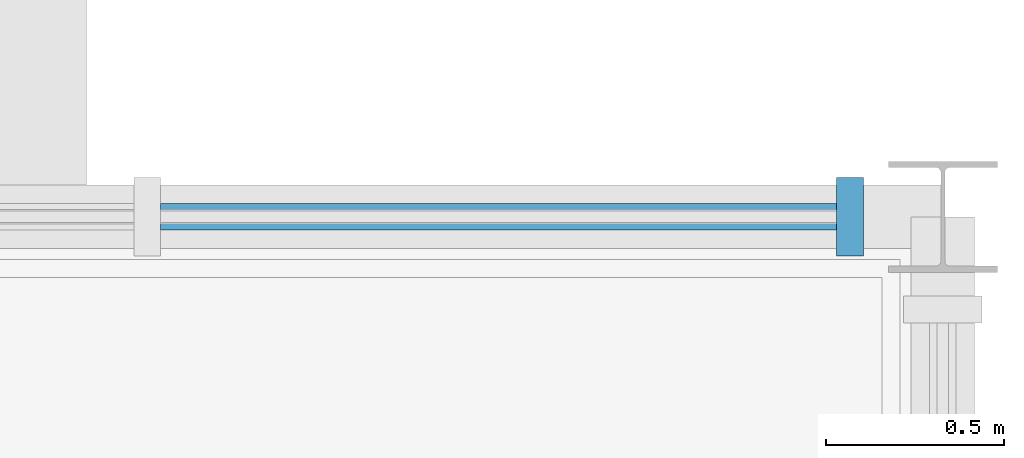
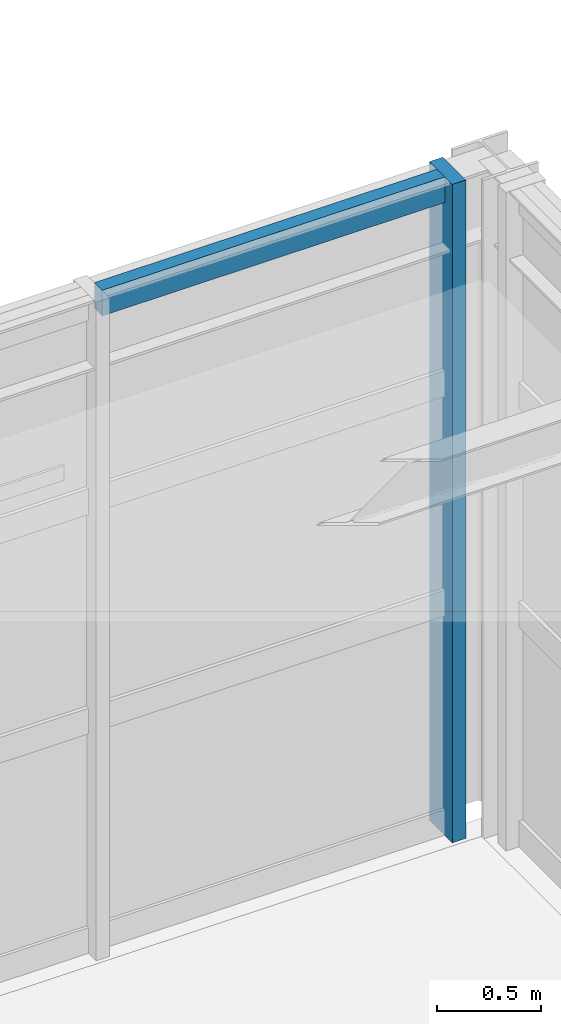
# One storey, part 29 of 49: 2 members, 1 element without a shape of its own.
"""IFC4 building model written with IfcOpenShell, lengths in metres."""

import ifcopenshell
import ifcopenshell.guid

model = None  # the IFC model being written
_history = None  # IfcOwnerHistory: only IFC2X3 demands one
_inside = {}  # id of a spatial element -> (the spatial element, [elements in it])
_under = {}  # id of a project, library or spatial element -> (it, [spatial elements below it])
_declared = {}  # id of a project -> (the project, [libraries it declares])
_typed = {}  # id of a type object -> (the type object, [elements of that type])
_made_of = {}  # id of a material, layer set ... -> (it, [elements and type objects made of it])


def new_model(schema):
    """Start an empty IFC model of exactly this schema.

    Asked for "IFC4X3", IfcOpenShell would pick the latest addendum, in which some entities
    have other attributes; the version numbers below select the first issue.
    IFC2X3 requires an IfcOwnerHistory on every rooted entity: one is made here for all.
    """
    global model, _history
    if schema == "IFC4X3":
        model = ifcopenshell.file(schema_version=(4, 3, 0, 0))
    else:
        model = ifcopenshell.file(schema=schema)
    _inside.clear()
    _under.clear()
    _declared.clear()
    _typed.clear()
    _made_of.clear()
    _history = None
    if model.schema == "IFC2X3":
        org = make("IfcOrganization", Name="unknown")
        user = make(
            "IfcPersonAndOrganization",
            ThePerson=make("IfcPerson", FamilyName="unknown"),
            TheOrganization=org,
        )
        app = make(
            "IfcApplication",
            ApplicationDeveloper=org,
            Version="unknown",
            ApplicationFullName="unknown",
            ApplicationIdentifier="unknown",
        )
        _history = make(
            "IfcOwnerHistory",
            OwningUser=user,
            OwningApplication=app,
            ChangeAction="ADDED",
            CreationDate=0,
        )
    return model


def make(cls, **values):
    """One entity of the class cls with the attributes given. An attribute that is None is left unset."""
    return model.create_entity(
        cls, **{name: value for name, value in values.items() if value is not None}
    )


def rooted(cls, **values):
    """An entity with a GlobalId (a new one), such as an element, a storey or a relation."""
    return make(cls, GlobalId=ifcopenshell.guid.new(), OwnerHistory=_history, **values)


def si_unit(unit_type, name, prefix=None):
    """IfcSIUnit, for example si_unit("LENGTHUNIT", "METRE", prefix="MILLI")."""
    return make("IfcSIUnit", UnitType=unit_type, Prefix=prefix, Name=name)


def assignment(units):
    """IfcUnitAssignment: the units of a project."""
    return None if units is None else make("IfcUnitAssignment", Units=units)


def point(xyz):
    """IfcCartesianPoint."""
    return None if xyz is None else make("IfcCartesianPoint", Coordinates=xyz)


def direction(xyz):
    """IfcDirection."""
    return None if xyz is None else make("IfcDirection", DirectionRatios=xyz)


def frame(location, z_axis=None, x_axis=None):
    """IfcAxis2Placement3D, a coordinate frame: its origin and axes. An axis left out is left unset."""
    return make(
        "IfcAxis2Placement3D",
        Location=point(location),
        Axis=direction(z_axis),
        RefDirection=direction(x_axis),
    )


def frame_2d(location, x_axis=None):
    """IfcAxis2Placement2D, a coordinate frame in the plane: its origin and x axis."""
    return make(
        "IfcAxis2Placement2D", Location=point(location), RefDirection=direction(x_axis)
    )


def origin():
    """The frame at (0, 0, 0) with its axes left unset."""
    return frame((0.0, 0.0, 0.0))


def origin_2d():
    """The frame at (0, 0) in the plane with its x axis left unset."""
    return frame_2d((0.0, 0.0))


def place(relative_to, where):
    """IfcLocalPlacement: puts the frame where relative to a parent placement (None: the world)."""
    return make(
        "IfcLocalPlacement", PlacementRelTo=relative_to, RelativePlacement=where
    )


def context(
    kind, dimensions, precision=None, world=None, true_north=None, identifier=None
):
    """IfcGeometricRepresentationContext, for example the 3D "Model" context."""
    return make(
        "IfcGeometricRepresentationContext",
        ContextIdentifier=identifier,
        ContextType=kind,
        CoordinateSpaceDimension=dimensions,
        Precision=precision,
        WorldCoordinateSystem=world,
        TrueNorth=true_north,
    )


def subcontext(parent, identifier, kind, view, scale=None):
    """IfcGeometricRepresentationSubContext, for example "Body" below "Model"."""
    return make(
        "IfcGeometricRepresentationSubContext",
        ContextIdentifier=identifier,
        ContextType=kind,
        ParentContext=parent,
        TargetScale=scale,
        TargetView=view,
    )


def project(units=None, contexts=None):
    """IfcProject with its units and contexts."""
    return rooted(
        "IfcProject",
        Name="project",
        RepresentationContexts=contexts,
        UnitsInContext=assignment(units),
    )


def spatial(cls, under=None, at=None, **own):
    """A site, building, storey or space (cls), placed at a placement, below another one or the project."""
    s = rooted(cls, ObjectPlacement=at, **own)
    if under is not None:
        _under.setdefault(under.id(), (under, []))[1].append(s)
    return s


def profile(cls, at=None, kind="AREA", **sizes):
    """A parametric profile (cls). Its sizes go by their IFC names, for example OverallWidth=200.0."""
    return make(cls, ProfileType=kind, Position=at, **sizes)


def rectangle(**sizes):
    """IfcRectangleProfileDef."""
    return profile("IfcRectangleProfileDef", **sizes)


def extrude(swept, where, along, depth):
    """IfcExtrudedAreaSolid: the profile swept, set in the frame where, extruded along a direction by depth."""
    return make(
        "IfcExtrudedAreaSolid",
        SweptArea=swept,
        Position=where,
        ExtrudedDirection=direction(along),
        Depth=depth,
    )


def shape(context_of_items, identifier, shape_type, items):
    """IfcShapeRepresentation: the items that make up one representation, for example the "Body"."""
    return make(
        "IfcShapeRepresentation",
        ContextOfItems=context_of_items,
        RepresentationIdentifier=identifier,
        RepresentationType=shape_type,
        Items=items,
    )


def material(Name=None, Category=None):
    """IfcMaterial."""
    return make("IfcMaterial", Name=Name, Category=Category)


def layer(
    of_material, thickness, ventilated=None, Name=None, Category=None, Priority=None
):
    """IfcMaterialLayer: one layer of a wall or slab, of a material (None: an air gap)."""
    return make(
        "IfcMaterialLayer",
        Material=of_material,
        LayerThickness=thickness,
        IsVentilated=ventilated,
        Name=Name,
        Category=Category,
        Priority=Priority,
    )


def layer_set(layers, Name=None):
    """IfcMaterialLayerSet."""
    return make("IfcMaterialLayerSet", MaterialLayers=layers, LayerSetName=Name)


def material_profile(
    of_material, cross_section, Name=None, Category=None, Priority=None
):
    """IfcMaterialProfile: a cross section and its material."""
    return make(
        "IfcMaterialProfile",
        Name=Name,
        Material=of_material,
        Profile=cross_section,
        Priority=Priority,
        Category=Category,
    )


def profile_set(profiles, Name=None, composite=None):
    """IfcMaterialProfileSet."""
    return make(
        "IfcMaterialProfileSet",
        Name=Name,
        MaterialProfiles=profiles,
        CompositeProfile=composite,
    )


def made_of(thing, what):
    """Note that an element or type object is made of a material, layer set ...; save() writes the relation."""
    if what is not None:
        _made_of.setdefault(what.id(), (what, []))[1].append(thing)
    return thing


def type_object(cls, material=None, **own):
    """A type object (cls), such as IfcWallType, which elements share."""
    return made_of(rooted(cls, **own), material)


def element(
    cls,
    number,
    at=None,
    inside=None,
    cuts=None,
    type_object=None,
    material=None,
    context=None,
    identifier="Body",
    shape_type=None,
    held_by="IfcProductDefinitionShape",
    body=None,
    shapes=None,
    **own,
):
    """One element of the class cls, such as IfcWall. Its Tag is "e" and its number.

    at: its placement. inside: the storey or other place that contains it. cuts: it is an
    opening in that element (IfcRelVoidsElement). A single representation is given by context,
    identifier, shape_type and body (its items); several are given by shapes. held_by: the class
    of the entity that holds the representations. save() writes the other relations.
    """
    e = rooted(cls, Tag="e%d" % number, ObjectPlacement=at, **own)
    if body is not None:
        shapes = [shape(context, identifier, shape_type, body)]
    if shapes is not None:
        e.Representation = make(held_by, Representations=shapes)
    if inside is not None:
        _inside.setdefault(inside.id(), (inside, []))[1].append(e)
    if cuts is not None:
        rooted(
            "IfcRelVoidsElement", RelatingBuildingElement=cuts, RelatedOpeningElement=e
        )
    if type_object is not None:
        _typed.setdefault(type_object.id(), (type_object, []))[1].append(e)
    return made_of(e, material)


def aggregate(whole, parts):
    """IfcRelAggregates: a whole, such as a stair, and the parts it consists of."""
    return rooted("IfcRelAggregates", RelatingObject=whole, RelatedObjects=parts)


def save(model, path):
    """Write the relations noted so far, then the file.

    IfcRelAggregates (storeys below a building ...), IfcRelContainedInSpatialStructure (elements
    in a storey), IfcRelDefinesByType, IfcRelAssociatesMaterial and IfcRelDeclares: one each for
    every whole, place, type object, material and project.
    """
    for whole, parts in _under.values():
        aggregate(whole, parts)
    for where, things in _inside.values():
        rooted(
            "IfcRelContainedInSpatialStructure",
            RelatedElements=things,
            RelatingStructure=where,
        )
    for kind, things in _typed.values():
        rooted("IfcRelDefinesByType", RelatedObjects=things, RelatingType=kind)
    for what, things in _made_of.values():
        rooted("IfcRelAssociatesMaterial", RelatedObjects=things, RelatingMaterial=what)
    for by, libraries in _declared.values():
        rooted("IfcRelDeclares", RelatingContext=by, RelatedDefinitions=libraries)
    model.write(path)


model = new_model("IFC4")

# Units and contexts
model_context = context("Model", 3, precision=1e-05, world=origin(), true_north=direction((0.0, 1.0)))
body_context = subcontext(model_context, "Body", "Model", "MODEL_VIEW")
ifc_project = project(units=[si_unit("LENGTHUNIT", "METRE"), si_unit("AREAUNIT", "SQUARE_METRE"), si_unit("VOLUMEUNIT", "CUBIC_METRE"), si_unit("PLANEANGLEUNIT", "RADIAN"), si_unit("MASSUNIT", "GRAM", prefix="KILO")], contexts=[model_context])

# Site, building, storey
site_placement = place(None, origin())
site = spatial("IfcSite", under=ifc_project, at=site_placement, CompositionType="ELEMENT")
building_placement = place(site_placement, origin())
building = spatial("IfcBuilding", under=site, at=building_placement, Name="Sitalva Quay Ferry Terminal", CompositionType="ELEMENT")
storey_placement = place(building_placement, frame((0.0, 0.0, 10.199951171875)))
storey = spatial("IfcBuildingStorey", under=building, at=storey_placement, Name="L03", CompositionType="ELEMENT", Elevation=10.199951171875)

# Curtain wall, members
ifc_material_1 = material(Name="Anodised Aluminium & Low-E Glazing", Category="aluminium")
ifc_layer = layer(ifc_material_1, 0.159912109375)
ifc_layer_set = layer_set([ifc_layer], Name="Anodised Aluminium & Low-E Glazing")
curtain_wall_type = type_object("IfcCurtainWallType", Name="CW_Office_Unitised", PredefinedType="USERDEFINED", material=ifc_layer_set)
curtain_wall_placement = place(storey_placement, origin())
curtain_wall = element("IfcCurtainWall", 1, at=curtain_wall_placement, inside=storey, type_object=curtain_wall_type, Name="L03 maritime admin north glazing (CW-L03-136)", ObjectType="CURTAIN_WALL", PredefinedType="USERDEFINED")
ifc_material_2 = material(Name="Anodised Aluminium 6063-T6", Category="aluminium")
ifc_material_profile_1 = material_profile(ifc_material_2, rectangle(XDim=0.074951171875, YDim=0.219970703125, at=origin_2d()), Name="ALU75x220")
ifc_profile_set_1 = profile_set([ifc_material_profile_1], Name="Anodised Aluminium 6063-T6")
member_type_1 = type_object("IfcMemberType", Name="Mullion_Alu_75x160", PredefinedType="MULLION", material=ifc_profile_set_1)
member_1_placement = place(storey_placement, frame((117.340087890625, 112.0, 0.0), z_axis=(0.0, 0.0, 1.0), x_axis=(1.0, 0.0, 0.0)))
member_1 = element("IfcMember", 2, at=member_1_placement, type_object=member_type_1, Name="CW-L03-136-M4", PredefinedType="MULLION", context=body_context, shape_type="SweptSolid", body=[
    extrude(rectangle(XDim=0.074951171875, YDim=0.219970703125, at=origin_2d()), origin(), (0.0, 0.0, 1.0), 3.85009765625),
])
ifc_material_3 = material(Name="Anodised Aluminium 6063-T6", Category="aluminium")
ifc_material_profile_2 = material_profile(ifc_material_3, rectangle(XDim=0.074951171875, YDim=0.14990234375, at=origin_2d()), Name="ALU75x150")
ifc_profile_set_2 = profile_set([ifc_material_profile_2], Name="Anodised Aluminium 6063-T6")
member_type_2 = type_object("IfcMemberType", Name="Transom_Alu_75x140", PredefinedType="MULLION", material=ifc_profile_set_2)
member_2_placement = place(storey_placement, frame((115.407470703125, 112.0, 3.775146484375), z_axis=(1.0, 0.0, 0.0), x_axis=(0.0, 1.0, 0.0)))
member_2 = element("IfcMember", 3, at=member_2_placement, type_object=member_type_2, Name="CW-L03-136-T3-3", ObjectType="TRANSOM", PredefinedType="USERDEFINED", context=body_context, shape_type="SweptSolid", body=[
    extrude(rectangle(XDim=0.074951171875, YDim=0.14990234375, at=origin_2d()), origin(), (0.0, 0.0, 1.0), 1.89501953125),
])
aggregate(curtain_wall, [member_1, member_2])

save(model, "model.ifc")
